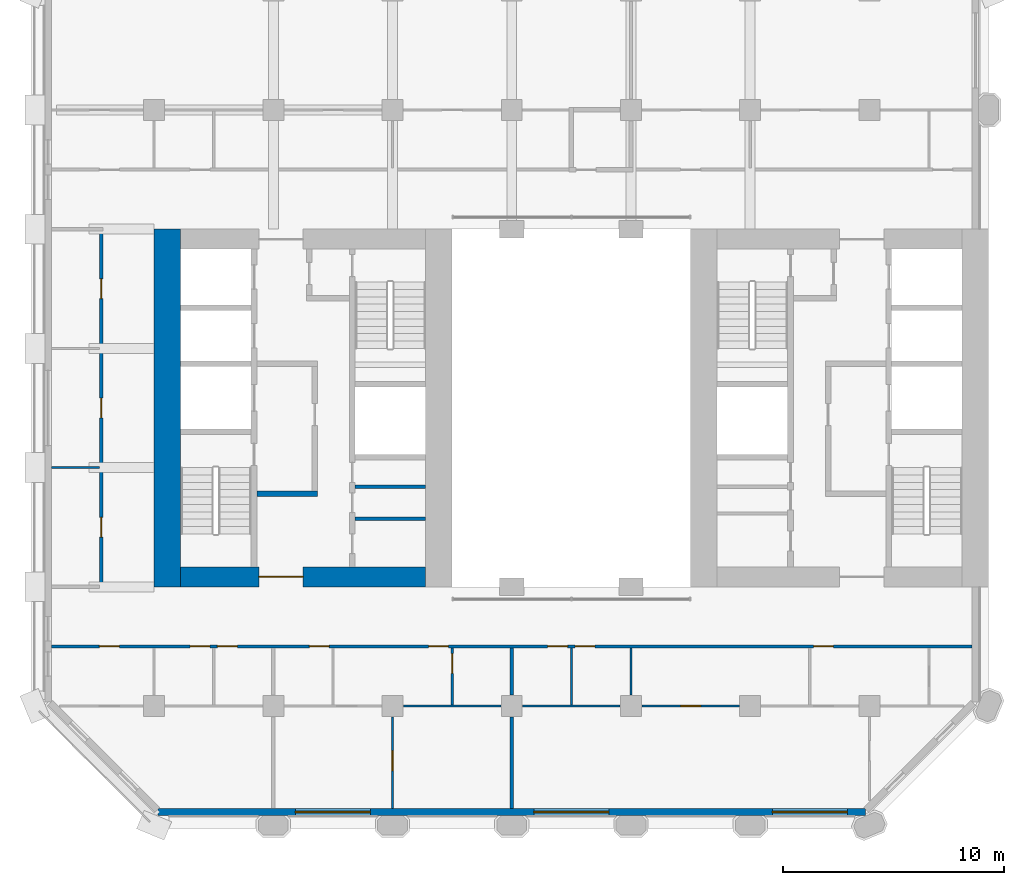
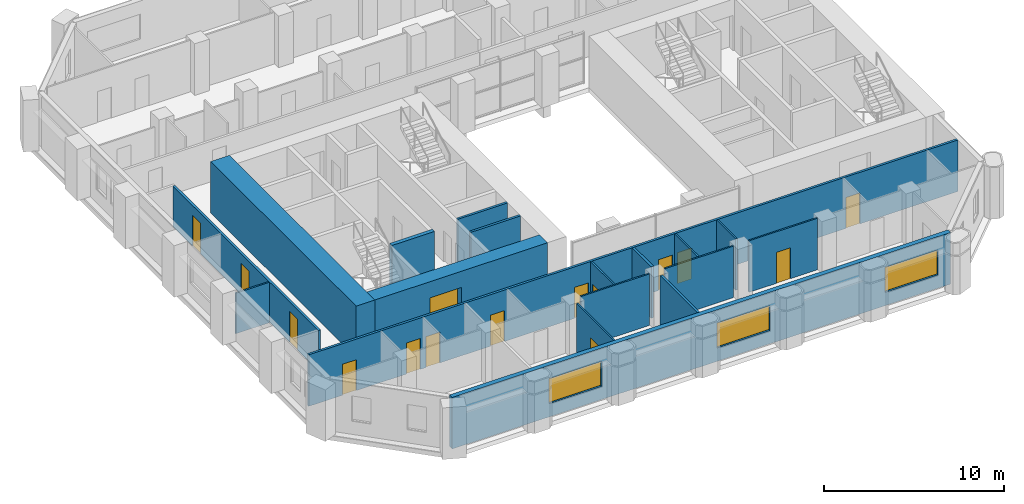
# One storey, part 6 of 13: 18 walls, 15 doors, 3 windows, 18 openings.
"""IFC4 building model written with IfcOpenShell, lengths in metres."""

from ifc_helpers import new_model, si_unit, direction, frame, frame_2d, origin, place, context, subcontext, project, spatial, rectangle, extrude, material, layer, layer_set, type_object, element, fill, save


model = new_model("IFC4")

# Units and contexts
model_context = context("Model", 3, precision=1e-05, world=origin(), true_north=direction((0.0, 1.0)))
body_context = subcontext(model_context, "Body", "Model", "MODEL_VIEW")
ifc_project = project(units=[si_unit("LENGTHUNIT", "METRE"), si_unit("AREAUNIT", "SQUARE_METRE"), si_unit("VOLUMEUNIT", "CUBIC_METRE"), si_unit("PLANEANGLEUNIT", "RADIAN"), si_unit("MASSUNIT", "GRAM", prefix="KILO")], contexts=[model_context])

# Site, building, storey
site_placement = place(None, origin())
site = spatial("IfcSite", under=ifc_project, at=site_placement, CompositionType="ELEMENT")
building_placement = place(site_placement, origin())
building = spatial("IfcBuilding", under=site, at=building_placement, Name="Tabaq Tower and Sports Hall", CompositionType="ELEMENT")
storey_placement = place(building_placement, frame((0.0, 0.0, 106.800048828125)))
storey = spatial("IfcBuildingStorey", under=building, at=storey_placement, Name="L25", CompositionType="ELEMENT", Elevation=106.800048828125)

# Walls
ifc_material_1 = material(Name="Blockwork", Category="masonry")
ifc_layer_1 = layer(ifc_material_1, 0.14990234375)
ifc_layer_set_1 = layer_set([ifc_layer_1], Name="Core room partition 150 Blockwork")
wall_type_1 = type_object("IfcWallType", Name="Core room partition 150 Blockwork", PredefinedType="PARTITIONING", material=ifc_layer_set_1)
for number, where, z_axis, x_axis, name in (
    (1, (14.5, 19.282958984375, 0.0), (0.0, 0.0, 1.0), (1.0, 0.0, 0.0), "Core room partition W L25"),
    (2, (14.5, 20.738037109375, 0.0), (0.0, 0.0, 1.0), (1.0, 0.0, 0.0), "Core room partition W L25"),
):
    element("IfcWall", number, at=place(storey_placement, frame(where, z_axis=z_axis, x_axis=x_axis)), inside=storey, type_object=wall_type_1, Name=name, PredefinedType="PARTITIONING", context=body_context, shape_type="SweptSolid", body=[
        extrude(rectangle(XDim=3.199951171875, YDim=0.14990234375, at=frame_2d((1.60009765625, 0.0))), origin(), (0.0, 0.0, 1.0), 3.5),
    ])
ifc_material_2 = material(Name="Concrete C60/75", Category="concrete")
ifc_layer_2 = layer(ifc_material_2, 1.199951171875)
ifc_layer_set_2 = layer_set([ifc_layer_2], Name="Core wall 1200 Concrete C60/75")
wall_type_2 = type_object("IfcWallType", Name="Core wall 1200 Concrete C60/75", PredefinedType="SOLIDWALL", material=ifc_layer_set_2)
wall_1_placement = place(storey_placement, frame((6.0, 16.199951171875, 0.0), z_axis=(0.0, 0.0, 1.0), x_axis=(0.0, 1.0, 0.0)))
element("IfcWall", 3, at=wall_1_placement, inside=storey, type_object=wall_type_2, Name="Core wall W L25", PredefinedType="SOLIDWALL", context=body_context, shape_type="SweptSolid", body=[
    extrude(rectangle(XDim=16.199951171875, YDim=1.199951171875, at=frame_2d((8.10009765625, 0.0))), origin(), (0.0, 0.0, 1.0), 3.5),
])

# Wall, opening, door
ifc_material_3 = material(Name="Concrete C60/75", Category="concrete")
ifc_layer_3 = layer(ifc_material_3, 0.89990234375)
ifc_layer_set_3 = layer_set([ifc_layer_3], Name="Core wall 900 Concrete C60/75")
wall_type_3 = type_object("IfcWallType", Name="Core wall 900 Concrete C60/75", PredefinedType="SOLIDWALL", material=ifc_layer_set_3)
wall_2_placement = place(storey_placement, frame((17.699951171875, 16.64990234375, 0.0), z_axis=(0.0, 0.0, 1.0), x_axis=(-1.0, 0.0, 0.0)))
wall_2 = element("IfcWall", 4, at=wall_2_placement, inside=storey, type_object=wall_type_3, Name="Core wall W L25", PredefinedType="SOLIDWALL", context=body_context, shape_type="SweptSolid", body=[
    extrude(rectangle(XDim=11.099853515625, YDim=0.89990234375, at=frame_2d((5.5498046875, 0.0))), origin(), (0.0, 0.0, 1.0), 3.5),
])
opening_1_placement = place(wall_2_placement, frame((5.550048828125, 0.0, 0.0)))
opening_1 = element("IfcOpeningElement", 5, at=opening_1_placement, cuts=wall_2, Name="Opening PD-WL25-01", PredefinedType="OPENING", context=body_context, shape_type="SweptSolid", body=[
    extrude(rectangle(XDim=2.0, YDim=2.39990234375, at=frame_2d((1.0, 1.199951171875))), frame((0.0, 0.449951171875, 0.0), z_axis=(0.0, -1.0, 0.0), x_axis=(1.0, 0.0, 0.0)), (0.0, 0.0, 1.0), 0.89990234375),
])
ifc_material_4 = material(Name="Steel fire door", Category="steel")
door_type_1 = type_object("IfcDoorType", Name="Core entrance door 2000", OperationType="DOUBLE_DOOR_SINGLE_SWING", PredefinedType="DOOR", material=ifc_material_4)
door_1_placement = place(opening_1_placement, origin())
door_1 = element("IfcDoor", 6, at=door_1_placement, inside=storey, type_object=door_type_1, Name="Core entrance south W L25", OperationType="DOUBLE_DOOR_SINGLE_SWING", OverallHeight=2.39990234375, OverallWidth=2.0, PredefinedType="DOOR", context=body_context, shape_type="SweptSolid", body=[
    extrude(rectangle(XDim=2.0, YDim=2.39990234375, at=frame_2d((1.0, 1.199951171875))), frame((0.0, 0.02490234375, 0.0), z_axis=(0.0, -1.0, 0.0), x_axis=(1.0, 0.0, 0.0)), (0.0, 0.0, 1.0), 0.050048828125),
])
fill(opening_1, door_1)

ifc_material_5 = material(Name="Gypsum board on steel studs", Category="steel")
ifc_layer_4 = layer(ifc_material_5, 0.10009765625)
ifc_layer_set_4 = layer_set([ifc_layer_4], Name="Partition 100 Gypsum board")
wall_type_4 = type_object("IfcWallType", Name="Partition 100 Gypsum board", PredefinedType="PARTITIONING", material=ifc_layer_set_4)
wall_3_placement = place(storey_placement, frame((18.89990234375, 10.85009765625, 0.0), z_axis=(0.0, 0.0, 1.0), x_axis=(0.0, 1.0, 0.0)))
wall_3 = element("IfcWall", 7, at=wall_3_placement, inside=storey, type_object=wall_type_4, Name="Partition wall L25", PredefinedType="PARTITIONING", context=body_context, shape_type="SweptSolid", body=[
    extrude(rectangle(XDim=2.574951171875, YDim=0.10009765625, at=frame_2d((1.28759765625, 0.0))), origin(), (0.0, 0.0, 1.0), 3.5),
])
opening_2_placement = place(wall_3_placement, frame((1.425048828125, 0.0, 0.0)))
opening_2 = element("IfcOpeningElement", 8, at=opening_2_placement, cuts=wall_3, Name="Opening L25-020", PredefinedType="OPENING", context=body_context, shape_type="SweptSolid", body=[
    extrude(rectangle(XDim=0.89990234375, YDim=2.10009765625, at=frame_2d((0.449951171875, 1.050048828125))), frame((0.0, 0.050048828125, 0.0), z_axis=(0.0, -1.0, 0.0), x_axis=(1.0, 0.0, 0.0)), (0.0, 0.0, 1.0), 0.10009765625),
])
ifc_material_6 = material(Name="Timber leaf in steel frame", Category="steel")
door_type_2 = type_object("IfcDoorType", Name="Internal door 900 right hand", OperationType="SINGLE_SWING_RIGHT", PredefinedType="DOOR", material=ifc_material_6)
door_2_placement = place(opening_2_placement, origin())
door_2 = element("IfcDoor", 9, at=door_2_placement, inside=storey, type_object=door_type_2, Name="Internal door L25-020", OperationType="SINGLE_SWING_RIGHT", OverallHeight=2.10009765625, OverallWidth=0.89990234375, PredefinedType="DOOR", context=body_context, shape_type="SweptSolid", body=[
    extrude(rectangle(XDim=0.89990234375, YDim=2.10009765625, at=frame_2d((0.449951171875, 1.050048828125))), frame((0.0, 0.02490234375, 0.0), z_axis=(0.0, -1.0, 0.0), x_axis=(1.0, 0.0, 0.0)), (0.0, 0.0, 1.0), 0.050048828125),
])
fill(opening_2, door_2)

# Wall
wall_4_placement = place(storey_placement, frame((16.695068359375, 10.800048828125, 0.0), z_axis=(0.0, 0.0, 1.0), x_axis=(1.0, 0.0, 0.0)))
element("IfcWall", 10, at=wall_4_placement, inside=storey, type_object=wall_type_4, Name="Partition wall L25", PredefinedType="PARTITIONING", context=body_context, shape_type="SweptSolid", body=[
    extrude(rectangle(XDim=4.409912109375, YDim=0.10009765625, at=frame_2d((2.205078125, 0.0))), origin(), (0.0, 0.0, 1.0), 3.5),
])

# Wall, opening, door
wall_5_placement = place(storey_placement, frame((16.199951171875, 6.15087890625, 0.0), z_axis=(0.0, 0.0, 1.0), x_axis=(0.0, 1.0, 0.0)))
wall_5 = element("IfcWall", 11, at=wall_5_placement, inside=storey, type_object=wall_type_4, Name="Partition wall L25", PredefinedType="PARTITIONING", context=body_context, shape_type="SweptSolid", body=[
    extrude(rectangle(XDim=4.154052734375, YDim=0.10009765625, at=frame_2d((2.0771484375, 0.0))), origin(), (0.0, 0.0, 1.0), 3.5),
])
opening_3_placement = place(wall_5_placement, frame((1.72412109375, 0.0, 0.0)))
opening_3 = element("IfcOpeningElement", 12, at=opening_3_placement, cuts=wall_5, Name="Opening L25-021", PredefinedType="OPENING", context=body_context, shape_type="SweptSolid", body=[
    extrude(rectangle(XDim=0.89990234375, YDim=2.10009765625, at=frame_2d((0.449951171875, 1.050048828125))), frame((0.0, 0.050048828125, 0.0), z_axis=(0.0, -1.0, 0.0), x_axis=(1.0, 0.0, 0.0)), (0.0, 0.0, 1.0), 0.10009765625),
])
door_3_placement = place(opening_3_placement, origin())
door_3 = element("IfcDoor", 13, at=door_3_placement, inside=storey, type_object=door_type_2, Name="Internal door L25-021", OperationType="SINGLE_SWING_RIGHT", OverallHeight=2.10009765625, OverallWidth=0.89990234375, PredefinedType="DOOR", context=body_context, shape_type="SweptSolid", body=[
    extrude(rectangle(XDim=0.89990234375, YDim=2.10009765625, at=frame_2d((0.449951171875, 1.050048828125))), frame((0.0, 0.02490234375, 0.0), z_axis=(0.0, -1.0, 0.0), x_axis=(1.0, 0.0, 0.0)), (0.0, 0.0, 1.0), 0.050048828125),
])
fill(opening_3, door_3)

# Walls
wall_6_placement = place(storey_placement, frame((24.300048828125, 10.85009765625, 0.0), z_axis=(0.0, 0.0, 1.0), x_axis=(0.0, 1.0, 0.0)))
element("IfcWall", 14, at=wall_6_placement, inside=storey, type_object=wall_type_4, Name="Partition wall L25", PredefinedType="PARTITIONING", context=body_context, shape_type="SweptSolid", body=[
    extrude(rectangle(XDim=2.574951171875, YDim=0.10009765625, at=frame_2d((1.28759765625, 0.0))), origin(), (0.0, 0.0, 1.0), 3.5),
])
wall_7_placement = place(storey_placement, frame((22.094970703125, 10.800048828125, 0.0), z_axis=(0.0, 0.0, 1.0), x_axis=(1.0, 0.0, 0.0)))
element("IfcWall", 15, at=wall_7_placement, inside=storey, type_object=wall_type_4, Name="Partition wall L25", PredefinedType="PARTITIONING", context=body_context, shape_type="SweptSolid", body=[
    extrude(rectangle(XDim=4.409912109375, YDim=0.10009765625, at=frame_2d((2.205078125, 0.0))), origin(), (0.0, 0.0, 1.0), 3.5),
])
wall_8_placement = place(storey_placement, frame((27.0, 11.294921875, 0.0), z_axis=(0.0, 0.0, 1.0), x_axis=(0.0, 1.0, 0.0)))
element("IfcWall", 16, at=wall_8_placement, inside=storey, type_object=wall_type_4, Name="Partition wall L25", PredefinedType="PARTITIONING", context=body_context, shape_type="SweptSolid", body=[
    extrude(rectangle(XDim=2.130126953125, YDim=0.10009765625, at=frame_2d((1.06494140625, 0.0))), origin(), (0.0, 0.0, 1.0), 3.5),
])

# Wall, opening, door
wall_9_placement = place(storey_placement, frame((27.4951171875, 10.800048828125, 0.0), z_axis=(0.0, 0.0, 1.0), x_axis=(1.0, 0.0, 0.0)))
wall_9 = element("IfcWall", 17, at=wall_9_placement, inside=storey, type_object=wall_type_4, Name="Partition wall L25", PredefinedType="PARTITIONING", context=body_context, shape_type="SweptSolid", body=[
    extrude(rectangle(XDim=4.409912109375, YDim=0.10009765625, at=frame_2d((2.205078125, 0.0))), origin(), (0.0, 0.0, 1.0), 3.5),
])
opening_4_placement = place(wall_9_placement, frame((1.7548828125, 0.0, 0.0)))
opening_4 = element("IfcOpeningElement", 18, at=opening_4_placement, cuts=wall_9, Name="Opening L25-022", PredefinedType="OPENING", context=body_context, shape_type="SweptSolid", body=[
    extrude(rectangle(XDim=0.89990234375, YDim=2.10009765625, at=frame_2d((0.449951171875, 1.050048828125))), frame((0.0, 0.050048828125, 0.0), z_axis=(0.0, -1.0, 0.0), x_axis=(1.0, 0.0, 0.0)), (0.0, 0.0, 1.0), 0.10009765625),
])
door_4_placement = place(opening_4_placement, origin())
door_4 = element("IfcDoor", 19, at=door_4_placement, inside=storey, type_object=door_type_2, Name="Internal door L25-022", OperationType="SINGLE_SWING_RIGHT", OverallHeight=2.10009765625, OverallWidth=0.89990234375, PredefinedType="DOOR", context=body_context, shape_type="SweptSolid", body=[
    extrude(rectangle(XDim=0.89990234375, YDim=2.10009765625, at=frame_2d((0.449951171875, 1.050048828125))), frame((0.0, 0.02490234375, 0.0), z_axis=(0.0, -1.0, 0.0), x_axis=(1.0, 0.0, 0.0)), (0.0, 0.0, 1.0), 0.050048828125),
])
fill(opening_4, door_4)

# Wall
wall_10_placement = place(storey_placement, frame((2.925048828125, 21.60009765625, 0.0), z_axis=(0.0, 0.0, 1.0), x_axis=(-1.0, 0.0, 0.0)))
element("IfcWall", 20, at=wall_10_placement, inside=storey, type_object=wall_type_4, Name="Partition wall L25", PredefinedType="PARTITIONING", context=body_context, shape_type="SweptSolid", body=[
    extrude(rectangle(XDim=2.174072265625, YDim=0.10009765625, at=frame_2d((1.0869140625, 0.0))), origin(), (0.0, 0.0, 1.0), 2.75),
])

# Wall, openings, doors
ifc_material_7 = material(Name="Blockwork", Category="masonry")
ifc_layer_5 = layer(ifc_material_7, 0.14990234375)
ifc_layer_set_5 = layer_set([ifc_layer_5], Name="Separating wall 150 Blockwork")
wall_type_5 = type_object("IfcWallType", Name="Separating wall 150 Blockwork", PredefinedType="PARTITIONING", material=ifc_layer_set_5)
wall_11_placement = place(storey_placement, frame((3.0, 32.324951171875, 0.0), z_axis=(0.0, 0.0, 1.0), x_axis=(0.0, -1.0, 0.0)))
wall_11 = element("IfcWall", 21, at=wall_11_placement, inside=storey, type_object=wall_type_5, Name="Separating wall L25", PredefinedType="PARTITIONING", context=body_context, shape_type="SweptSolid", body=[
    extrude(rectangle(XDim=16.199951171875, YDim=0.14990234375, at=frame_2d((8.10009765625, 0.0))), origin(), (0.0, 0.0, 1.0), 2.75),
])
opening_5_placement = place(wall_11_placement, frame((12.97509765625, 0.0, 0.0)))
opening_5 = element("IfcOpeningElement", 22, at=opening_5_placement, cuts=wall_11, Name="Opening L25-009", PredefinedType="OPENING", context=body_context, shape_type="SweptSolid", body=[
    extrude(rectangle(XDim=0.89990234375, YDim=2.10009765625, at=frame_2d((0.449951171875, 1.050048828125))), frame((0.0, 0.074951171875, 0.0), z_axis=(0.0, -1.0, 0.0), x_axis=(1.0, 0.0, 0.0)), (0.0, 0.0, 1.0), 0.14990234375),
])
opening_6_placement = place(wall_11_placement, frame((7.574951171875, 0.0, 0.0)))
opening_6 = element("IfcOpeningElement", 23, at=opening_6_placement, cuts=wall_11, Name="Opening L25-010", PredefinedType="OPENING", context=body_context, shape_type="SweptSolid", body=[
    extrude(rectangle(XDim=0.89990234375, YDim=2.10009765625, at=frame_2d((0.449951171875, 1.050048828125))), frame((0.0, 0.074951171875, 0.0), z_axis=(0.0, -1.0, 0.0), x_axis=(1.0, 0.0, 0.0)), (0.0, 0.0, 1.0), 0.14990234375),
])
opening_7_placement = place(wall_11_placement, frame((2.175048828125, 0.0, 0.0)))
opening_7 = element("IfcOpeningElement", 24, at=opening_7_placement, cuts=wall_11, Name="Opening L25-011", PredefinedType="OPENING", context=body_context, shape_type="SweptSolid", body=[
    extrude(rectangle(XDim=0.89990234375, YDim=2.10009765625, at=frame_2d((0.449951171875, 1.050048828125))), frame((0.0, 0.074951171875, 0.0), z_axis=(0.0, -1.0, 0.0), x_axis=(1.0, 0.0, 0.0)), (0.0, 0.0, 1.0), 0.14990234375),
])
ifc_material_8 = material(Name="Timber leaf in steel frame", Category="steel")
door_type_3 = type_object("IfcDoorType", Name="Internal door 900 left hand", OperationType="SINGLE_SWING_LEFT", PredefinedType="DOOR", material=ifc_material_8)
door_5_placement = place(opening_5_placement, origin())
door_5 = element("IfcDoor", 25, at=door_5_placement, inside=storey, type_object=door_type_3, Name="Internal door L25-009", OperationType="SINGLE_SWING_LEFT", OverallHeight=2.10009765625, OverallWidth=0.89990234375, PredefinedType="DOOR", context=body_context, shape_type="SweptSolid", body=[
    extrude(rectangle(XDim=0.89990234375, YDim=2.10009765625, at=frame_2d((0.449951171875, 1.050048828125))), frame((0.0, 0.02490234375, 0.0), z_axis=(0.0, -1.0, 0.0), x_axis=(1.0, 0.0, 0.0)), (0.0, 0.0, 1.0), 0.050048828125),
])
fill(opening_5, door_5)
door_6_placement = place(opening_6_placement, origin())
door_6 = element("IfcDoor", 26, at=door_6_placement, inside=storey, type_object=door_type_3, Name="Internal door L25-010", OperationType="SINGLE_SWING_LEFT", OverallHeight=2.10009765625, OverallWidth=0.89990234375, PredefinedType="DOOR", context=body_context, shape_type="SweptSolid", body=[
    extrude(rectangle(XDim=0.89990234375, YDim=2.10009765625, at=frame_2d((0.449951171875, 1.050048828125))), frame((0.0, 0.02490234375, 0.0), z_axis=(0.0, -1.0, 0.0), x_axis=(1.0, 0.0, 0.0)), (0.0, 0.0, 1.0), 0.050048828125),
])
fill(opening_6, door_6)
door_7_placement = place(opening_7_placement, origin())
door_7 = element("IfcDoor", 27, at=door_7_placement, inside=storey, type_object=door_type_3, Name="Internal door L25-011", OperationType="SINGLE_SWING_LEFT", OverallHeight=2.10009765625, OverallWidth=0.89990234375, PredefinedType="DOOR", context=body_context, shape_type="SweptSolid", body=[
    extrude(rectangle(XDim=0.89990234375, YDim=2.10009765625, at=frame_2d((0.449951171875, 1.050048828125))), frame((0.0, 0.02490234375, 0.0), z_axis=(0.0, -1.0, 0.0), x_axis=(1.0, 0.0, 0.0)), (0.0, 0.0, 1.0), 0.050048828125),
])
fill(opening_7, door_7)

wall_12_placement = place(storey_placement, frame((0.7509765625, 13.5, 0.0), z_axis=(0.0, 0.0, 1.0), x_axis=(1.0, 0.0, 0.0)))
wall_12 = element("IfcWall", 28, at=wall_12_placement, inside=storey, type_object=wall_type_5, Name="Separating wall L25", PredefinedType="PARTITIONING", context=body_context, shape_type="SweptSolid", body=[
    extrude(rectangle(XDim=41.697998046875, YDim=0.14990234375, at=frame_2d((20.84912109375, 0.0))), origin(), (0.0, 0.0, 1.0), 3.5),
])
opening_8_placement = place(wall_12_placement, frame((6.279052734375, 0.0, 0.0)))
opening_8 = element("IfcOpeningElement", 29, at=opening_8_placement, cuts=wall_12, Name="Opening L25-004", PredefinedType="OPENING", context=body_context, shape_type="SweptSolid", body=[
    extrude(rectangle(XDim=0.89990234375, YDim=2.10009765625, at=frame_2d((0.449951171875, 1.050048828125))), frame((0.0, 0.074951171875, 0.0), z_axis=(0.0, -1.0, 0.0), x_axis=(1.0, 0.0, 0.0)), (0.0, 0.0, 1.0), 0.14990234375),
])
opening_9_placement = place(wall_12_placement, frame((7.51904296875, 0.0, 0.0)))
opening_9 = element("IfcOpeningElement", 30, at=opening_9_placement, cuts=wall_12, Name="Opening L25-005", PredefinedType="OPENING", context=body_context, shape_type="SweptSolid", body=[
    extrude(rectangle(XDim=0.89990234375, YDim=2.10009765625, at=frame_2d((0.449951171875, 1.050048828125))), frame((0.0, 0.074951171875, 0.0), z_axis=(0.0, -1.0, 0.0), x_axis=(1.0, 0.0, 0.0)), (0.0, 0.0, 1.0), 0.14990234375),
])
opening_10_placement = place(wall_12_placement, frame((11.678955078125, 0.0, 0.0)))
opening_10 = element("IfcOpeningElement", 31, at=opening_10_placement, cuts=wall_12, Name="Opening L25-006", PredefinedType="OPENING", context=body_context, shape_type="SweptSolid", body=[
    extrude(rectangle(XDim=0.89990234375, YDim=2.10009765625, at=frame_2d((0.449951171875, 1.050048828125))), frame((0.0, 0.074951171875, 0.0), z_axis=(0.0, -1.0, 0.0), x_axis=(1.0, 0.0, 0.0)), (0.0, 0.0, 1.0), 0.14990234375),
])
opening_11_placement = place(wall_12_placement, frame((22.47900390625, 0.0, 0.0)))
opening_11 = element("IfcOpeningElement", 32, at=opening_11_placement, cuts=wall_12, Name="Opening L25-007", PredefinedType="OPENING", context=body_context, shape_type="SweptSolid", body=[
    extrude(rectangle(XDim=0.89990234375, YDim=2.10009765625, at=frame_2d((0.449951171875, 1.050048828125))), frame((0.0, 0.074951171875, 0.0), z_axis=(0.0, -1.0, 0.0), x_axis=(1.0, 0.0, 0.0)), (0.0, 0.0, 1.0), 0.14990234375),
])
opening_12_placement = place(wall_12_placement, frame((23.718994140625, 0.0, 0.0)))
opening_12 = element("IfcOpeningElement", 33, at=opening_12_placement, cuts=wall_12, Name="Opening L25-008", PredefinedType="OPENING", context=body_context, shape_type="SweptSolid", body=[
    extrude(rectangle(XDim=0.89990234375, YDim=2.10009765625, at=frame_2d((0.449951171875, 1.050048828125))), frame((0.0, 0.074951171875, 0.0), z_axis=(0.0, -1.0, 0.0), x_axis=(1.0, 0.0, 0.0)), (0.0, 0.0, 1.0), 0.14990234375),
])
opening_13_placement = place(wall_12_placement, frame((2.174072265625, 0.0, 0.0)))
opening_13 = element("IfcOpeningElement", 34, at=opening_13_placement, cuts=wall_12, Name="Opening L25-027", PredefinedType="OPENING", context=body_context, shape_type="SweptSolid", body=[
    extrude(rectangle(XDim=0.89990234375, YDim=2.10009765625, at=frame_2d((0.449951171875, 1.050048828125))), frame((0.0, 0.074951171875, 0.0), z_axis=(0.0, -1.0, 0.0), x_axis=(1.0, 0.0, 0.0)), (0.0, 0.0, 1.0), 0.14990234375),
])
opening_14_placement = place(wall_12_placement, frame((17.0791015625, 0.0, 0.0)))
opening_14 = element("IfcOpeningElement", 35, at=opening_14_placement, cuts=wall_12, Name="Opening L25-031", PredefinedType="OPENING", context=body_context, shape_type="SweptSolid", body=[
    extrude(rectangle(XDim=0.89990234375, YDim=2.10009765625, at=frame_2d((0.449951171875, 1.050048828125))), frame((0.0, 0.074951171875, 0.0), z_axis=(0.0, -1.0, 0.0), x_axis=(1.0, 0.0, 0.0)), (0.0, 0.0, 1.0), 0.14990234375),
])
opening_15_placement = place(wall_12_placement, frame((34.51904296875, 0.0, 0.0)))
opening_15 = element("IfcOpeningElement", 36, at=opening_15_placement, cuts=wall_12, Name="Opening L25-032", PredefinedType="OPENING", context=body_context, shape_type="SweptSolid", body=[
    extrude(rectangle(XDim=0.89990234375, YDim=2.10009765625, at=frame_2d((0.449951171875, 1.050048828125))), frame((0.0, 0.074951171875, 0.0), z_axis=(0.0, -1.0, 0.0), x_axis=(1.0, 0.0, 0.0)), (0.0, 0.0, 1.0), 0.14990234375),
])
ifc_material_9 = material(Name="Steel fire door", Category="steel")
door_type_4 = type_object("IfcDoorType", Name="Entrance door 900 left hand", OperationType="SINGLE_SWING_LEFT", PredefinedType="DOOR", material=ifc_material_9)
door_8_placement = place(opening_8_placement, origin())
door_8 = element("IfcDoor", 37, at=door_8_placement, inside=storey, type_object=door_type_4, Name="Entrance door L25-004", OperationType="SINGLE_SWING_LEFT", OverallHeight=2.10009765625, OverallWidth=0.89990234375, PredefinedType="DOOR", context=body_context, shape_type="SweptSolid", body=[
    extrude(rectangle(XDim=0.89990234375, YDim=2.10009765625, at=frame_2d((0.449951171875, 1.050048828125))), frame((0.0, 0.02490234375, 0.0), z_axis=(0.0, -1.0, 0.0), x_axis=(1.0, 0.0, 0.0)), (0.0, 0.0, 1.0), 0.050048828125),
])
fill(opening_8, door_8)
door_9_placement = place(opening_9_placement, origin())
door_9 = element("IfcDoor", 38, at=door_9_placement, inside=storey, type_object=door_type_4, Name="Entrance door L25-005", OperationType="SINGLE_SWING_LEFT", OverallHeight=2.10009765625, OverallWidth=0.89990234375, PredefinedType="DOOR", context=body_context, shape_type="SweptSolid", body=[
    extrude(rectangle(XDim=0.89990234375, YDim=2.10009765625, at=frame_2d((0.449951171875, 1.050048828125))), frame((0.0, 0.02490234375, 0.0), z_axis=(0.0, -1.0, 0.0), x_axis=(1.0, 0.0, 0.0)), (0.0, 0.0, 1.0), 0.050048828125),
])
fill(opening_9, door_9)
door_10_placement = place(opening_10_placement, origin())
door_10 = element("IfcDoor", 39, at=door_10_placement, inside=storey, type_object=door_type_4, Name="Entrance door L25-006", OperationType="SINGLE_SWING_LEFT", OverallHeight=2.10009765625, OverallWidth=0.89990234375, PredefinedType="DOOR", context=body_context, shape_type="SweptSolid", body=[
    extrude(rectangle(XDim=0.89990234375, YDim=2.10009765625, at=frame_2d((0.449951171875, 1.050048828125))), frame((0.0, 0.02490234375, 0.0), z_axis=(0.0, -1.0, 0.0), x_axis=(1.0, 0.0, 0.0)), (0.0, 0.0, 1.0), 0.050048828125),
])
fill(opening_10, door_10)
door_11_placement = place(opening_11_placement, origin())
door_11 = element("IfcDoor", 40, at=door_11_placement, inside=storey, type_object=door_type_4, Name="Entrance door L25-007", OperationType="SINGLE_SWING_LEFT", OverallHeight=2.10009765625, OverallWidth=0.89990234375, PredefinedType="DOOR", context=body_context, shape_type="SweptSolid", body=[
    extrude(rectangle(XDim=0.89990234375, YDim=2.10009765625, at=frame_2d((0.449951171875, 1.050048828125))), frame((0.0, 0.02490234375, 0.0), z_axis=(0.0, -1.0, 0.0), x_axis=(1.0, 0.0, 0.0)), (0.0, 0.0, 1.0), 0.050048828125),
])
fill(opening_11, door_11)
door_12_placement = place(opening_12_placement, origin())
door_12 = element("IfcDoor", 41, at=door_12_placement, inside=storey, type_object=door_type_4, Name="Entrance door L25-008", OperationType="SINGLE_SWING_LEFT", OverallHeight=2.10009765625, OverallWidth=0.89990234375, PredefinedType="DOOR", context=body_context, shape_type="SweptSolid", body=[
    extrude(rectangle(XDim=0.89990234375, YDim=2.10009765625, at=frame_2d((0.449951171875, 1.050048828125))), frame((0.0, 0.02490234375, 0.0), z_axis=(0.0, -1.0, 0.0), x_axis=(1.0, 0.0, 0.0)), (0.0, 0.0, 1.0), 0.050048828125),
])
fill(opening_12, door_12)
door_13_placement = place(opening_13_placement, origin())
door_13 = element("IfcDoor", 42, at=door_13_placement, inside=storey, type_object=door_type_4, Name="Entrance door L25-027", OperationType="SINGLE_SWING_LEFT", OverallHeight=2.10009765625, OverallWidth=0.89990234375, PredefinedType="DOOR", context=body_context, shape_type="SweptSolid", body=[
    extrude(rectangle(XDim=0.89990234375, YDim=2.10009765625, at=frame_2d((0.449951171875, 1.050048828125))), frame((0.0, 0.02490234375, 0.0), z_axis=(0.0, -1.0, 0.0), x_axis=(1.0, 0.0, 0.0)), (0.0, 0.0, 1.0), 0.050048828125),
])
fill(opening_13, door_13)
door_14_placement = place(opening_14_placement, origin())
door_14 = element("IfcDoor", 43, at=door_14_placement, inside=storey, type_object=door_type_4, Name="Entrance door L25-031", OperationType="SINGLE_SWING_LEFT", OverallHeight=2.10009765625, OverallWidth=0.89990234375, PredefinedType="DOOR", context=body_context, shape_type="SweptSolid", body=[
    extrude(rectangle(XDim=0.89990234375, YDim=2.10009765625, at=frame_2d((0.449951171875, 1.050048828125))), frame((0.0, 0.02490234375, 0.0), z_axis=(0.0, -1.0, 0.0), x_axis=(1.0, 0.0, 0.0)), (0.0, 0.0, 1.0), 0.050048828125),
])
fill(opening_14, door_14)
door_15_placement = place(opening_15_placement, origin())
door_15 = element("IfcDoor", 44, at=door_15_placement, inside=storey, type_object=door_type_4, Name="Entrance door L25-032", OperationType="SINGLE_SWING_LEFT", OverallHeight=2.10009765625, OverallWidth=0.89990234375, PredefinedType="DOOR", context=body_context, shape_type="SweptSolid", body=[
    extrude(rectangle(XDim=0.89990234375, YDim=2.10009765625, at=frame_2d((0.449951171875, 1.050048828125))), frame((0.0, 0.02490234375, 0.0), z_axis=(0.0, -1.0, 0.0), x_axis=(1.0, 0.0, 0.0)), (0.0, 0.0, 1.0), 0.050048828125),
])
fill(opening_15, door_15)

# Walls
wall_13_placement = place(storey_placement, frame((21.60009765625, 11.294921875, 0.0), z_axis=(0.0, 0.0, 1.0), x_axis=(0.0, 1.0, 0.0)))
element("IfcWall", 45, at=wall_13_placement, inside=storey, type_object=wall_type_5, Name="Separating wall L25", PredefinedType="PARTITIONING", context=body_context, shape_type="SweptSolid", body=[
    extrude(rectangle(XDim=2.130126953125, YDim=0.14990234375, at=frame_2d((1.06494140625, 0.0))), origin(), (0.0, 0.0, 1.0), 3.5),
])
wall_14_placement = place(storey_placement, frame((21.60009765625, 6.15087890625, 0.0), z_axis=(0.0, 0.0, 1.0), x_axis=(0.0, 1.0, 0.0)))
element("IfcWall", 46, at=wall_14_placement, inside=storey, type_object=wall_type_5, Name="Separating wall L25", PredefinedType="PARTITIONING", context=body_context, shape_type="SweptSolid", body=[
    extrude(rectangle(XDim=4.154052734375, YDim=0.14990234375, at=frame_2d((2.0771484375, 0.0))), origin(), (0.0, 0.0, 1.0), 3.5),
])
ifc_material_10 = material(Name="Concrete C40/50", Category="concrete")
ifc_layer_6 = layer(ifc_material_10, 0.25)
ifc_layer_set_6 = layer_set([ifc_layer_6], Name="Shaft and stair wall 250 Concrete C40/50")
wall_type_6 = type_object("IfcWallType", Name="Shaft and stair wall 250 Concrete C40/50", PredefinedType="SOLIDWALL", material=ifc_layer_set_6)
wall_15_placement = place(storey_placement, frame((10.050048828125, 20.425048828125, 0.0), z_axis=(0.0, 0.0, 1.0), x_axis=(1.0, 0.0, 0.0)))
element("IfcWall", 47, at=wall_15_placement, inside=storey, type_object=wall_type_6, Name="Fire-fighting lobby wall W L25", PredefinedType="SOLIDWALL", context=body_context, shape_type="SweptSolid", body=[
    extrude(rectangle(XDim=2.75, YDim=0.25, at=frame_2d((1.375, 0.0))), origin(), (0.0, 0.0, 1.0), 3.5),
])

# Wall, openings, windows
ifc_material_11 = material(Name="White precast concrete C60/75", Category="concrete")
ifc_layer_7 = layer(ifc_material_11, 0.300048828125)
ifc_layer_set_7 = layer_set([ifc_layer_7], Name="White precast concrete C60/75 external wall 300")
wall_type_7 = type_object("IfcWallType", Name="White precast concrete C60/75 external wall 300", PredefinedType="SOLIDWALL", material=ifc_layer_set_7)
wall_16_placement = place(storey_placement, frame((5.58642578125, 6.0, 0.0), z_axis=(0.0, 0.0, 1.0), x_axis=(1.0, 0.0, 0.0)))
wall_16 = element("IfcWall", 48, at=wall_16_placement, inside=storey, type_object=wall_type_7, Name="External Wall L25 S", PredefinedType="SOLIDWALL", context=body_context, shape_type="SweptSolid", body=[
    extrude(rectangle(XDim=32.027099609375, YDim=0.300048828125, at=frame_2d((16.013671875, 0.0))), origin(), (0.0, 0.0, 1.0), 3.5),
])
opening_16_placement = place(wall_16_placement, frame((6.213623046875, 0.0, 0.89990234375)))
opening_16 = element("IfcOpeningElement", 49, at=opening_16_placement, cuts=wall_16, Name="Opening W1A", PredefinedType="OPENING", context=body_context, shape_type="SweptSolid", body=[
    extrude(rectangle(XDim=3.39990234375, YDim=1.699951171875, at=frame_2d((1.699951171875, 0.85009765625))), frame((0.0, 0.16015625, 0.0), z_axis=(0.0, -1.0, 0.0), x_axis=(1.0, 0.0, 0.0)), (0.0, 0.0, 1.0), 0.320068359375),
])
opening_17_placement = place(wall_16_placement, frame((17.013671875, 0.0, 0.89990234375)))
opening_17 = element("IfcOpeningElement", 50, at=opening_17_placement, cuts=wall_16, Name="Opening W1A", PredefinedType="OPENING", context=body_context, shape_type="SweptSolid", body=[
    extrude(rectangle(XDim=3.39990234375, YDim=1.699951171875, at=frame_2d((1.699951171875, 0.85009765625))), frame((0.0, 0.16015625, 0.0), z_axis=(0.0, -1.0, 0.0), x_axis=(1.0, 0.0, 0.0)), (0.0, 0.0, 1.0), 0.320068359375),
])
opening_18_placement = place(wall_16_placement, frame((27.813720703125, 0.0, 0.89990234375)))
opening_18 = element("IfcOpeningElement", 51, at=opening_18_placement, cuts=wall_16, Name="Opening W1A", PredefinedType="OPENING", context=body_context, shape_type="SweptSolid", body=[
    extrude(rectangle(XDim=3.39990234375, YDim=1.699951171875, at=frame_2d((1.699951171875, 0.85009765625))), frame((0.0, 0.16015625, 0.0), z_axis=(0.0, -1.0, 0.0), x_axis=(1.0, 0.0, 0.0)), (0.0, 0.0, 1.0), 0.320068359375),
])
ifc_material_12 = material(Name="Aluminium framed clear glazing", Category="aluminium")
window_type = type_object("IfcWindowType", Name="Window W1A", PartitioningType="SINGLE_PANEL", PredefinedType="WINDOW", material=ifc_material_12)
window_1_placement = place(opening_16_placement, origin())
window_1 = element("IfcWindow", 52, at=window_1_placement, inside=storey, type_object=window_type, Name="Window W1A L25", OverallHeight=1.699951171875, OverallWidth=3.39990234375, PartitioningType="SINGLE_PANEL", PredefinedType="WINDOW", context=body_context, shape_type="SweptSolid", body=[
    extrude(rectangle(XDim=3.39990234375, YDim=1.699951171875, at=frame_2d((1.699951171875, 0.85009765625))), frame((0.0, 0.030029296875, 0.0), z_axis=(0.0, -1.0, 0.0), x_axis=(1.0, 0.0, 0.0)), (0.0, 0.0, 1.0), 0.06005859375),
])
fill(opening_16, window_1)
window_2_placement = place(opening_17_placement, origin())
window_2 = element("IfcWindow", 53, at=window_2_placement, inside=storey, type_object=window_type, Name="Window W1A L25", OverallHeight=1.699951171875, OverallWidth=3.39990234375, PartitioningType="SINGLE_PANEL", PredefinedType="WINDOW", context=body_context, shape_type="SweptSolid", body=[
    extrude(rectangle(XDim=3.39990234375, YDim=1.699951171875, at=frame_2d((1.699951171875, 0.85009765625))), frame((0.0, 0.030029296875, 0.0), z_axis=(0.0, -1.0, 0.0), x_axis=(1.0, 0.0, 0.0)), (0.0, 0.0, 1.0), 0.06005859375),
])
fill(opening_17, window_2)
window_3_placement = place(opening_18_placement, origin())
window_3 = element("IfcWindow", 54, at=window_3_placement, inside=storey, type_object=window_type, Name="Window W1A L25", OverallHeight=1.699951171875, OverallWidth=3.39990234375, PartitioningType="SINGLE_PANEL", PredefinedType="WINDOW", context=body_context, shape_type="SweptSolid", body=[
    extrude(rectangle(XDim=3.39990234375, YDim=1.699951171875, at=frame_2d((1.699951171875, 0.85009765625))), frame((0.0, 0.030029296875, 0.0), z_axis=(0.0, -1.0, 0.0), x_axis=(1.0, 0.0, 0.0)), (0.0, 0.0, 1.0), 0.06005859375),
])
fill(opening_18, window_3)

save(model, "model.ifc")
